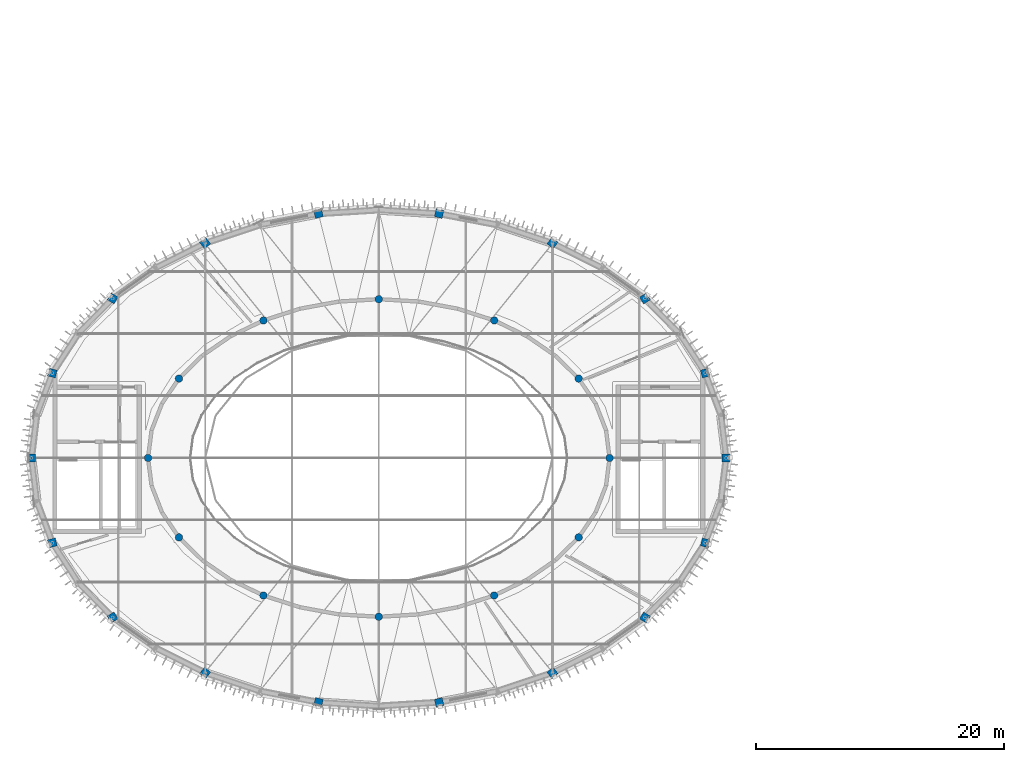
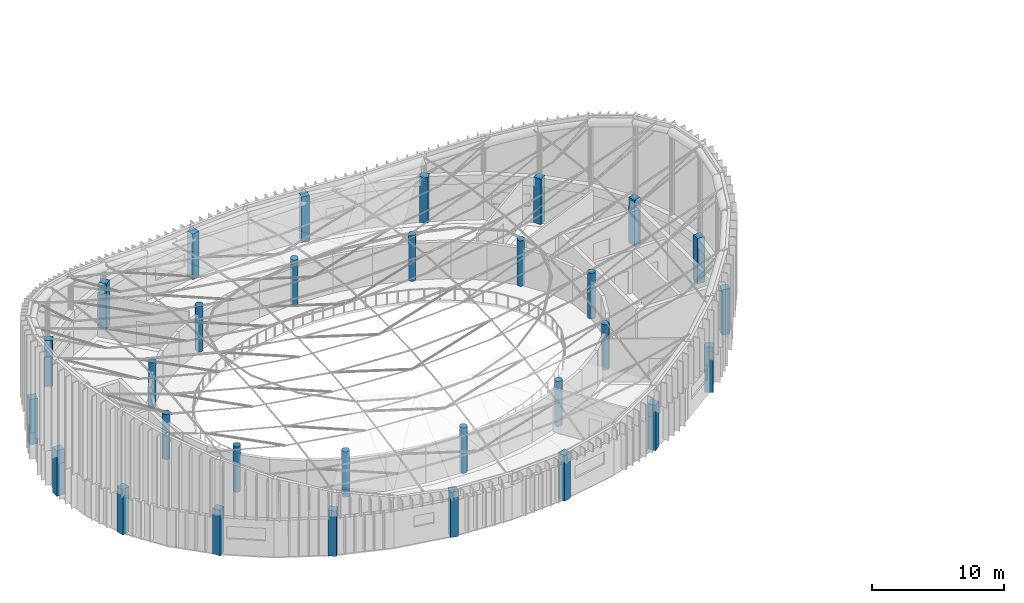
# One storey, part 1 of 36: 30 columns.
"""IFC4 building model written with IfcOpenShell, lengths in metres."""

import ifcopenshell
import ifcopenshell.guid

model = None  # the IFC model being written
_history = None  # IfcOwnerHistory: only IFC2X3 demands one
_inside = {}  # id of a spatial element -> (the spatial element, [elements in it])
_under = {}  # id of a project, library or spatial element -> (it, [spatial elements below it])
_declared = {}  # id of a project -> (the project, [libraries it declares])
_typed = {}  # id of a type object -> (the type object, [elements of that type])
_made_of = {}  # id of a material, layer set ... -> (it, [elements and type objects made of it])


def new_model(schema):
    """Start an empty IFC model of exactly this schema.

    Asked for "IFC4X3", IfcOpenShell would pick the latest addendum, in which some entities
    have other attributes; the version numbers below select the first issue.
    IFC2X3 requires an IfcOwnerHistory on every rooted entity: one is made here for all.
    """
    global model, _history
    if schema == "IFC4X3":
        model = ifcopenshell.file(schema_version=(4, 3, 0, 0))
    else:
        model = ifcopenshell.file(schema=schema)
    _inside.clear()
    _under.clear()
    _declared.clear()
    _typed.clear()
    _made_of.clear()
    _history = None
    if model.schema == "IFC2X3":
        org = make("IfcOrganization", Name="unknown")
        user = make(
            "IfcPersonAndOrganization",
            ThePerson=make("IfcPerson", FamilyName="unknown"),
            TheOrganization=org,
        )
        app = make(
            "IfcApplication",
            ApplicationDeveloper=org,
            Version="unknown",
            ApplicationFullName="unknown",
            ApplicationIdentifier="unknown",
        )
        _history = make(
            "IfcOwnerHistory",
            OwningUser=user,
            OwningApplication=app,
            ChangeAction="ADDED",
            CreationDate=0,
        )
    return model


def make(cls, **values):
    """One entity of the class cls with the attributes given. An attribute that is None is left unset."""
    return model.create_entity(
        cls, **{name: value for name, value in values.items() if value is not None}
    )


def rooted(cls, **values):
    """An entity with a GlobalId (a new one), such as an element, a storey or a relation."""
    return make(cls, GlobalId=ifcopenshell.guid.new(), OwnerHistory=_history, **values)


def si_unit(unit_type, name, prefix=None):
    """IfcSIUnit, for example si_unit("LENGTHUNIT", "METRE", prefix="MILLI")."""
    return make("IfcSIUnit", UnitType=unit_type, Prefix=prefix, Name=name)


def assignment(units):
    """IfcUnitAssignment: the units of a project."""
    return None if units is None else make("IfcUnitAssignment", Units=units)


def point(xyz):
    """IfcCartesianPoint."""
    return None if xyz is None else make("IfcCartesianPoint", Coordinates=xyz)


def direction(xyz):
    """IfcDirection."""
    return None if xyz is None else make("IfcDirection", DirectionRatios=xyz)


def frame(location, z_axis=None, x_axis=None):
    """IfcAxis2Placement3D, a coordinate frame: its origin and axes. An axis left out is left unset."""
    return make(
        "IfcAxis2Placement3D",
        Location=point(location),
        Axis=direction(z_axis),
        RefDirection=direction(x_axis),
    )


def frame_2d(location, x_axis=None):
    """IfcAxis2Placement2D, a coordinate frame in the plane: its origin and x axis."""
    return make(
        "IfcAxis2Placement2D", Location=point(location), RefDirection=direction(x_axis)
    )


def origin():
    """The frame at (0, 0, 0) with its axes left unset."""
    return frame((0.0, 0.0, 0.0))


def origin_2d():
    """The frame at (0, 0) in the plane with its x axis left unset."""
    return frame_2d((0.0, 0.0))


def place(relative_to, where):
    """IfcLocalPlacement: puts the frame where relative to a parent placement (None: the world)."""
    return make(
        "IfcLocalPlacement", PlacementRelTo=relative_to, RelativePlacement=where
    )


def context(
    kind, dimensions, precision=None, world=None, true_north=None, identifier=None
):
    """IfcGeometricRepresentationContext, for example the 3D "Model" context."""
    return make(
        "IfcGeometricRepresentationContext",
        ContextIdentifier=identifier,
        ContextType=kind,
        CoordinateSpaceDimension=dimensions,
        Precision=precision,
        WorldCoordinateSystem=world,
        TrueNorth=true_north,
    )


def subcontext(parent, identifier, kind, view, scale=None):
    """IfcGeometricRepresentationSubContext, for example "Body" below "Model"."""
    return make(
        "IfcGeometricRepresentationSubContext",
        ContextIdentifier=identifier,
        ContextType=kind,
        ParentContext=parent,
        TargetScale=scale,
        TargetView=view,
    )


def project(units=None, contexts=None):
    """IfcProject with its units and contexts."""
    return rooted(
        "IfcProject",
        Name="project",
        RepresentationContexts=contexts,
        UnitsInContext=assignment(units),
    )


def spatial(cls, under=None, at=None, **own):
    """A site, building, storey or space (cls), placed at a placement, below another one or the project."""
    s = rooted(cls, ObjectPlacement=at, **own)
    if under is not None:
        _under.setdefault(under.id(), (under, []))[1].append(s)
    return s


def profile(cls, at=None, kind="AREA", **sizes):
    """A parametric profile (cls). Its sizes go by their IFC names, for example OverallWidth=200.0."""
    return make(cls, ProfileType=kind, Position=at, **sizes)


def rectangle(**sizes):
    """IfcRectangleProfileDef."""
    return profile("IfcRectangleProfileDef", **sizes)


def circle(**sizes):
    """IfcCircleProfileDef."""
    return profile("IfcCircleProfileDef", **sizes)


def extrude(swept, where, along, depth):
    """IfcExtrudedAreaSolid: the profile swept, set in the frame where, extruded along a direction by depth."""
    return make(
        "IfcExtrudedAreaSolid",
        SweptArea=swept,
        Position=where,
        ExtrudedDirection=direction(along),
        Depth=depth,
    )


def shape(context_of_items, identifier, shape_type, items):
    """IfcShapeRepresentation: the items that make up one representation, for example the "Body"."""
    return make(
        "IfcShapeRepresentation",
        ContextOfItems=context_of_items,
        RepresentationIdentifier=identifier,
        RepresentationType=shape_type,
        Items=items,
    )


def material(Name=None, Category=None):
    """IfcMaterial."""
    return make("IfcMaterial", Name=Name, Category=Category)


def material_profile(
    of_material, cross_section, Name=None, Category=None, Priority=None
):
    """IfcMaterialProfile: a cross section and its material."""
    return make(
        "IfcMaterialProfile",
        Name=Name,
        Material=of_material,
        Profile=cross_section,
        Priority=Priority,
        Category=Category,
    )


def profile_set(profiles, Name=None, composite=None):
    """IfcMaterialProfileSet."""
    return make(
        "IfcMaterialProfileSet",
        Name=Name,
        MaterialProfiles=profiles,
        CompositeProfile=composite,
    )


def made_of(thing, what):
    """Note that an element or type object is made of a material, layer set ...; save() writes the relation."""
    if what is not None:
        _made_of.setdefault(what.id(), (what, []))[1].append(thing)
    return thing


def type_object(cls, material=None, **own):
    """A type object (cls), such as IfcWallType, which elements share."""
    return made_of(rooted(cls, **own), material)


def element(
    cls,
    number,
    at=None,
    inside=None,
    cuts=None,
    type_object=None,
    material=None,
    context=None,
    identifier="Body",
    shape_type=None,
    held_by="IfcProductDefinitionShape",
    body=None,
    shapes=None,
    **own,
):
    """One element of the class cls, such as IfcWall. Its Tag is "e" and its number.

    at: its placement. inside: the storey or other place that contains it. cuts: it is an
    opening in that element (IfcRelVoidsElement). A single representation is given by context,
    identifier, shape_type and body (its items); several are given by shapes. held_by: the class
    of the entity that holds the representations. save() writes the other relations.
    """
    e = rooted(cls, Tag="e%d" % number, ObjectPlacement=at, **own)
    if body is not None:
        shapes = [shape(context, identifier, shape_type, body)]
    if shapes is not None:
        e.Representation = make(held_by, Representations=shapes)
    if inside is not None:
        _inside.setdefault(inside.id(), (inside, []))[1].append(e)
    if cuts is not None:
        rooted(
            "IfcRelVoidsElement", RelatingBuildingElement=cuts, RelatedOpeningElement=e
        )
    if type_object is not None:
        _typed.setdefault(type_object.id(), (type_object, []))[1].append(e)
    return made_of(e, material)


def aggregate(whole, parts):
    """IfcRelAggregates: a whole, such as a stair, and the parts it consists of."""
    return rooted("IfcRelAggregates", RelatingObject=whole, RelatedObjects=parts)


def save(model, path):
    """Write the relations noted so far, then the file.

    IfcRelAggregates (storeys below a building ...), IfcRelContainedInSpatialStructure (elements
    in a storey), IfcRelDefinesByType, IfcRelAssociatesMaterial and IfcRelDeclares: one each for
    every whole, place, type object, material and project.
    """
    for whole, parts in _under.values():
        aggregate(whole, parts)
    for where, things in _inside.values():
        rooted(
            "IfcRelContainedInSpatialStructure",
            RelatedElements=things,
            RelatingStructure=where,
        )
    for kind, things in _typed.values():
        rooted("IfcRelDefinesByType", RelatedObjects=things, RelatingType=kind)
    for what, things in _made_of.values():
        rooted("IfcRelAssociatesMaterial", RelatedObjects=things, RelatingMaterial=what)
    for by, libraries in _declared.values():
        rooted("IfcRelDeclares", RelatingContext=by, RelatedDefinitions=libraries)
    model.write(path)


model = new_model("IFC4")

# Units and contexts
model_context = context("Model", 3, precision=1e-05, world=origin(), true_north=direction((0.0, 1.0)))
body_context = subcontext(model_context, "Body", "Model", "MODEL_VIEW")
ifc_project = project(units=[si_unit("LENGTHUNIT", "METRE"), si_unit("AREAUNIT", "SQUARE_METRE"), si_unit("VOLUMEUNIT", "CUBIC_METRE"), si_unit("PLANEANGLEUNIT", "RADIAN"), si_unit("MASSUNIT", "GRAM", prefix="KILO")], contexts=[model_context])

# Site, building, storey
site_placement = place(None, origin())
site = spatial("IfcSite", under=ifc_project, at=site_placement, CompositionType="ELEMENT")
building_placement = place(site_placement, origin())
building = spatial("IfcBuilding", under=site, at=building_placement, Name="Tarnveldt Headland Concert Hall", CompositionType="ELEMENT")
storey_placement = place(building_placement, frame((0.0, 0.0, 22.800048828125)))
storey = spatial("IfcBuildingStorey", under=building, at=storey_placement, Name="L05", CompositionType="ELEMENT", Elevation=22.800048828125)

# Columns
ifc_material = material(Name="Concrete C40/50", Category="concrete")
ifc_material_profile_1 = material_profile(ifc_material, rectangle(XDim=0.64990234375, YDim=0.64990234375, at=origin_2d()), Name="RC 650x650", Category="concrete")
ifc_profile_set_1 = profile_set([ifc_material_profile_1], Name="Concrete C40/50")
column_type_1 = type_object("IfcColumnType", Name="CC-650", PredefinedType="COLUMN", material=ifc_profile_set_1)
for number, where, z_axis, x_axis, name in (
    (1, (111.5, 54.5, 0.0), (0.0, 0.0, 1.0), (1.0, 0.0, 0.0), "Column V2DC01 L05"),
    (2, (109.811279296875, 61.34033203125, 0.0), (0.0, 0.0, 1.0), (0.967841021032, 0.251562632376, 0.0), "Column V2DC02 L05"),
    (3, (104.94921875, 67.355712890625, 0.0), (0.0, 0.0, 1.0), (0.85770617722, 0.514140169175, 0.0), "Column V2DC03 L05"),
    (4, (97.5, 71.820556640625, 0.0), (0.0, 0.0, 1.0), (0.628641963719, 0.777694851116, 0.0), "Column V2DC04 L05"),
    (5, (88.362060546875, 74.1962890625, 0.0), (0.0, 0.0, 1.0), (0.239719743609, 0.970842131618, 0.0), "Column V2DC05 L05"),
    (6, (78.637939453125, 74.1962890625, 0.0), (0.0, 0.0, 1.0), (-0.239719743609, 0.970842131618, 0.0), "Column V2DC06 L05"),
    (7, (69.5, 71.820556640625, 0.0), (0.0, 0.0, 1.0), (-0.628641963719, 0.777694851116, 0.0), "Column V2DC07 L05"),
    (8, (62.05078125, 67.355712890625, 0.0), (0.0, 0.0, 1.0), (-0.85770617722, 0.514140169175, 0.0), "Column V2DC08 L05"),
    (9, (57.188720703125, 61.34033203125, 0.0), (0.0, 0.0, 1.0), (-0.967841021032, 0.251562632376, 0.0), "Column V2DC09 L05"),
    (10, (55.5, 54.5, 0.0), (0.0, 0.0, 1.0), (-1.0, 0.0, 0.0), "Column V2DC10 L05"),
    (11, (57.188720703125, 47.65966796875, 0.0), (0.0, 0.0, 1.0), (-0.967841021032, -0.251562632376, 0.0), "Column V2DC11 L05"),
    (12, (62.05078125, 41.644287109375, 0.0), (0.0, 0.0, 1.0), (-0.85770617722, -0.514140169175, 0.0), "Column V2DC12 L05"),
    (13, (69.5, 37.179443359375, 0.0), (0.0, 0.0, 1.0), (-0.628641963719, -0.777694851116, 0.0), "Column V2DC13 L05"),
    (14, (78.637939453125, 34.8037109375, 0.0), (0.0, 0.0, 1.0), (-0.239719743609, -0.970842131618, 0.0), "Column V2DC14 L05"),
    (15, (88.362060546875, 34.8037109375, 0.0), (0.0, 0.0, 1.0), (0.239719743609, -0.970842131618, 0.0), "Column V2DC15 L05"),
    (16, (97.5, 37.179443359375, 0.0), (0.0, 0.0, 1.0), (0.628641963719, -0.777694851116, 0.0), "Column V2DC16 L05"),
    (17, (104.94921875, 41.644287109375, 0.0), (0.0, 0.0, 1.0), (0.85770617722, -0.514140169175, 0.0), "Column V2DC17 L05"),
    (18, (109.811279296875, 47.65966796875, 0.0), (0.0, 0.0, 1.0), (0.967841021032, -0.251562632376, 0.0), "Column V2DC18 L05"),
):
    element("IfcColumn", number, at=place(storey_placement, frame(where, z_axis=z_axis, x_axis=x_axis)), inside=storey, type_object=column_type_1, Name=name, PredefinedType="COLUMN", context=body_context, shape_type="SweptSolid", body=[
        extrude(rectangle(XDim=0.64990234375, YDim=0.64990234375, at=origin_2d()), origin(), (0.0, 0.0, 1.0), 4.199951171875),
    ])
ifc_material_profile_2 = material_profile(ifc_material, circle(Radius=0.300048828125, at=origin_2d()), Name="RC D600", Category="concrete")
ifc_profile_set_2 = profile_set([ifc_material_profile_2], Name="Concrete C40/50")
column_type_2 = type_object("IfcColumnType", Name="DC-600", PredefinedType="COLUMN", material=ifc_profile_set_2)
for number, where, z_axis, x_axis, name in (
    (19, (102.10009765625, 54.5, 0.0), (0.0, 0.0, 1.0), (1.0, 0.0, 0.0), "Column V2IC01 L05"),
    (20, (99.608154296875, 60.89990234375, 0.0), (0.0, 0.0, 1.0), (0.929326043111, 0.369260213935, 0.0), "Column V2IC02 L05"),
    (21, (92.800048828125, 65.585205078125, 0.0), (0.0, 0.0, 1.0), (0.642787609687, 0.766044443119, 0.0), "Column V2IC03 L05"),
    (22, (83.5, 67.300048828125, 0.0), (0.0, 0.0, 1.0), (0.0, 1.0, 0.0), "Column V2IC04 L05"),
    (23, (74.199951171875, 65.585205078125, 0.0), (0.0, 0.0, 1.0), (-0.642787609687, 0.766044443119, 0.0), "Column V2IC05 L05"),
    (24, (67.391845703125, 60.89990234375, 0.0), (0.0, 0.0, 1.0), (-0.929326043111, 0.369260213935, 0.0), "Column V2IC06 L05"),
    (25, (64.89990234375, 54.5, 0.0), (0.0, 0.0, 1.0), (-1.0, 0.0, 0.0), "Column V2IC07 L05"),
    (26, (67.391845703125, 48.10009765625, 0.0), (0.0, 0.0, 1.0), (-0.929326043111, -0.369260213935, 0.0), "Column V2IC08 L05"),
    (27, (74.199951171875, 43.414794921875, 0.0), (0.0, 0.0, 1.0), (-0.642787609687, -0.766044443119, 0.0), "Column V2IC09 L05"),
    (28, (83.5, 41.699951171875, 0.0), (0.0, 0.0, 1.0), (0.0, -1.0, 0.0), "Column V2IC10 L05"),
    (29, (92.800048828125, 43.414794921875, 0.0), (0.0, 0.0, 1.0), (0.642787609687, -0.766044443119, 0.0), "Column V2IC11 L05"),
    (30, (99.608154296875, 48.10009765625, 0.0), (0.0, 0.0, 1.0), (0.929326043111, -0.369260213935, 0.0), "Column V2IC12 L05"),
):
    element("IfcColumn", number, at=place(storey_placement, frame(where, z_axis=z_axis, x_axis=x_axis)), inside=storey, type_object=column_type_2, Name=name, PredefinedType="COLUMN", context=body_context, shape_type="SweptSolid", body=[
        extrude(circle(Radius=0.300048828125, at=origin_2d()), origin(), (0.0, 0.0, 1.0), 4.199951171875),
    ])

save(model, "model.ifc")
